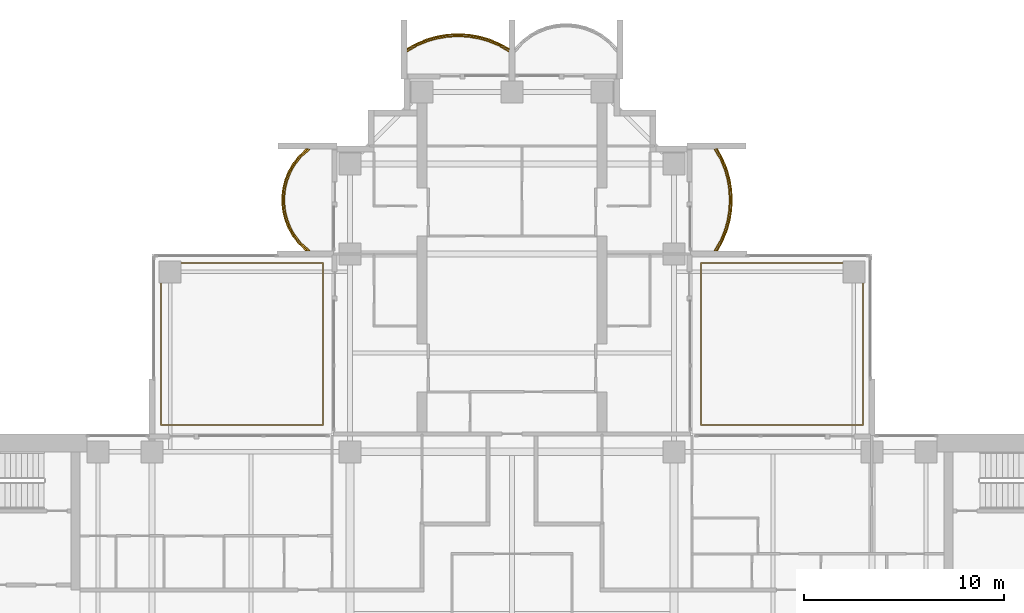
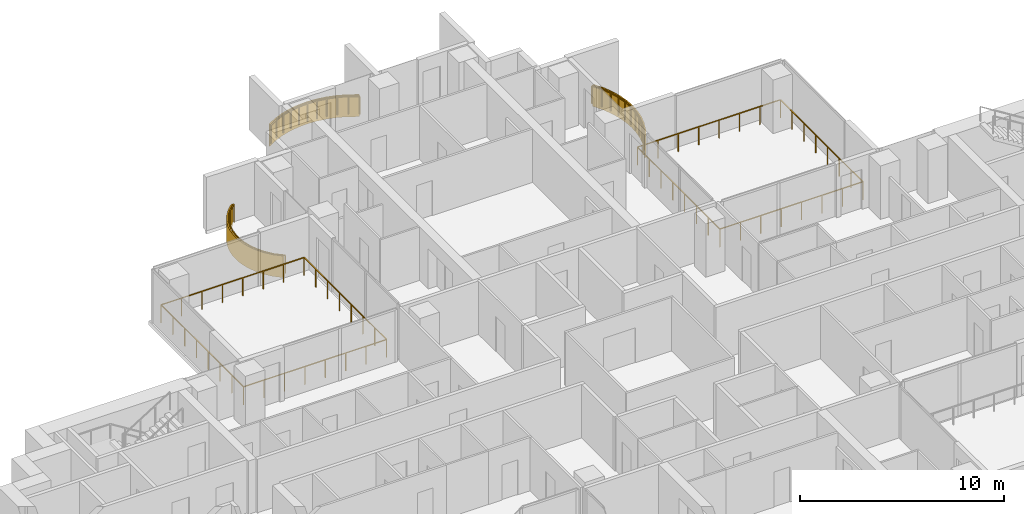
# One storey, part 18 of 19: 5 railings, 3 coverings.
"""IFC4 building model written with IfcOpenShell, lengths in metres."""

from ifc_helpers import new_model, si_unit, direction, frame, origin, origin_2d, place, context, subcontext, project, spatial, polyline, rectangle, outline, extrude, material, layer, layer_set, type_object, element, save


model = new_model("IFC4")

# Units and contexts
model_context = context("Model", 3, precision=1e-05, world=origin(), true_north=direction((0.0, 1.0)))
body_context = subcontext(model_context, "Body", "Model", "MODEL_VIEW")
ifc_project = project(units=[si_unit("LENGTHUNIT", "METRE"), si_unit("AREAUNIT", "SQUARE_METRE"), si_unit("VOLUMEUNIT", "CUBIC_METRE"), si_unit("PLANEANGLEUNIT", "RADIAN"), si_unit("MASSUNIT", "GRAM", prefix="KILO")], contexts=[model_context])

# Site, building, storey
site_placement = place(None, origin())
site = spatial("IfcSite", under=ifc_project, at=site_placement, CompositionType="ELEMENT")
building_placement = place(site_placement, origin())
building = spatial("IfcBuilding", under=site, at=building_placement, Name="Perihelion Cross Residences", CompositionType="ELEMENT")
storey_placement = place(building_placement, frame((0.0, 0.0, 151.39990234375)))
storey = spatial("IfcBuildingStorey", under=building, at=storey_placement, Name="L37", CompositionType="ELEMENT", Elevation=151.39990234375)

# Coverings
ifc_material_1 = material(Name="Bronze anodised aluminium", Category="aluminium")
ifc_layer = layer(ifc_material_1, 0.070068359375)
ifc_layer_set = layer_set([ifc_layer], Name="Balcony fascia 1300")
covering_type = type_object("IfcCoveringType", Name="Balcony fascia 1300", PredefinedType="CLADDING", material=ifc_layer_set)
covering_1_placement = place(storey_placement, frame((0.0, 0.0, -0.199951171875)))
element("IfcCovering", 1, at=covering_1_placement, inside=storey, type_object=covering_type, Name="Fascia BF1 L37 north side east bay 2", PredefinedType="CLADDING", context=body_context, shape_type="SweptSolid", body=[
    extrude(outline(polyline([(10.54833984375, 18.629638671875), (10.7607421875, 19.147216796875), (10.906494140625, 19.664794921875), (10.991943359375, 20.182373046875), (11.02001953125, 20.699951171875), (10.991943359375, 21.217529296875), (10.906494140625, 21.735107421875), (10.7607421875, 22.2529296875), (10.54833984375, 22.7705078125), (10.2802734375, 23.25), (10.199951171875, 23.25), (10.4853515625, 22.739990234375), (10.694580078125, 22.22998046875), (10.838134765625, 21.719970703125), (10.92236328125, 21.2099609375), (10.949951171875, 20.699951171875), (10.92236328125, 20.18994140625), (10.838134765625, 19.679931640625), (10.694580078125, 19.169921875), (10.4853515625, 18.659912109375), (10.199951171875, 18.14990234375), (10.2802734375, 18.14990234375), (10.54833984375, 18.629638671875)])), origin(), (0.0, 0.0, 1.0), 1.300048828125),
])
covering_2_placement = place(storey_placement, frame((0.0, 0.0, -0.199951171875)))
element("IfcCovering", 2, at=covering_2_placement, inside=storey, type_object=covering_type, Name="Fascia BF1 L37 north tip north bay 2", PredefinedType="CLADDING", context=body_context, shape_type="SweptSolid", body=[
    extrude(outline(polyline([(-0.629638671875, 28.54833984375), (-1.147216796875, 28.7607421875), (-1.664794921875, 28.906494140625), (-2.182373046875, 28.991943359375), (-2.699951171875, 29.02001953125), (-3.217529296875, 28.991943359375), (-3.735107421875, 28.906494140625), (-4.2529296875, 28.7607421875), (-4.7705078125, 28.54833984375), (-5.25, 28.2802734375), (-5.25, 28.199951171875), (-4.739990234375, 28.4853515625), (-4.22998046875, 28.694580078125), (-3.719970703125, 28.838134765625), (-3.2099609375, 28.92236328125), (-2.699951171875, 28.949951171875), (-2.18994140625, 28.92236328125), (-1.679931640625, 28.838134765625), (-1.169921875, 28.694580078125), (-0.659912109375, 28.4853515625), (-0.14990234375, 28.199951171875), (-0.14990234375, 28.2802734375), (-0.629638671875, 28.54833984375)])), origin(), (0.0, 0.0, 1.0), 1.300048828125),
])
covering_3_placement = place(storey_placement, frame((0.0, 0.0, -0.199951171875)))
element("IfcCovering", 3, at=covering_3_placement, inside=storey, type_object=covering_type, Name="Fascia BF1 L37 north side west bay 1", PredefinedType="CLADDING", context=body_context, shape_type="SweptSolid", body=[
    extrude(outline(polyline([(-10.674072265625, 22.90478515625), (-10.982666015625, 22.50390625), (-11.20654296875, 22.10302734375), (-11.364013671875, 21.7021484375), (-11.464599609375, 21.30126953125), (-11.513916015625, 20.900390625), (-11.513916015625, 20.49951171875), (-11.464599609375, 20.0986328125), (-11.364013671875, 19.69775390625), (-11.20654296875, 19.296875), (-10.982666015625, 18.89599609375), (-10.674072265625, 18.4951171875), (-10.302734375, 18.14990234375), (-10.199951171875, 18.14990234375), (-10.622314453125, 18.542236328125), (-10.924072265625, 18.9345703125), (-11.143310546875, 19.326904296875), (-11.29736328125, 19.71923828125), (-11.39599609375, 20.111572265625), (-11.444091796875, 20.50390625), (-11.444091796875, 20.896240234375), (-11.39599609375, 21.28857421875), (-11.29736328125, 21.6806640625), (-11.143310546875, 22.072998046875), (-10.924072265625, 22.46533203125), (-10.622314453125, 22.857666015625), (-10.199951171875, 23.25), (-10.302734375, 23.25), (-10.674072265625, 22.90478515625)])), origin(), (0.0, 0.0, 1.0), 1.300048828125),
])

# Railings
ifc_material_2 = material(Name="Bronze anodised aluminium", Category="aluminium")
railing_type = type_object("IfcRailingType", Name="Balcony guard 1100", PredefinedType="GUARDRAIL", material=ifc_material_2)
railing_1_placement = place(storey_placement, frame((10.139892578125, 18.175048828125, 0.0)))
element("IfcRailing", 4, at=railing_1_placement, inside=storey, type_object=railing_type, Name="Guard GU1 L37 north side east bay 2 balcony", PredefinedType="GUARDRAIL", context=body_context, shape_type="SweptSolid", body=[
    extrude(rectangle(XDim=0.048095703125, YDim=0.048095703125, at=origin_2d()), frame((0.0, 0.0, 1.076171875), z_axis=(0.507266632806, 0.861789164031, 0.0), x_axis=(-0.861789164031, 0.507266632806, 0.0)), (0.0, 0.0, 1.0), 0.562744140625),
    extrude(rectangle(XDim=0.048095703125, YDim=0.048095703125, at=origin_2d()), frame((0.285400390625, 0.48486328125, 1.076171875), z_axis=(0.379546636342, 0.925172605972, 0.0), x_axis=(-0.925172605972, 0.379546636342, 0.0)), (0.0, 0.0, 1.0), 0.55126953125),
    extrude(rectangle(XDim=0.048095703125, YDim=0.048095703125, at=origin_2d()), frame((0.49462890625, 0.994873046875, 1.076171875), z_axis=(0.271372618732, 0.962474364231, 0.0), x_axis=(-0.962474364231, 0.271372618732, 0.0)), (0.0, 0.0, 1.0), 0.52978515625),
    extrude(rectangle(XDim=0.048095703125, YDim=0.048095703125, at=origin_2d()), frame((0.638427734375, 1.5048828125, 1.076171875), z_axis=(0.162483799314, 0.986711211531, 0.0), x_axis=(-0.986711211531, 0.162483799314, 0.0)), (0.0, 0.0, 1.0), 0.516845703125),
    extrude(rectangle(XDim=0.048095703125, YDim=0.048095703125, at=origin_2d()), frame((0.722412109375, 2.014892578125, 1.076171875), z_axis=(0.05401390175, 0.998540183677, 0.0), x_axis=(-0.998540183677, 0.05401390175, 0.0)), (0.0, 0.0, 1.0), 0.5107421875),
    extrude(rectangle(XDim=0.048095703125, YDim=0.048095703125, at=origin_2d()), frame((0.75, 2.52490234375, 1.076171875), z_axis=(-0.05401390175, 0.998540183677, 0.0), x_axis=(-0.998540183677, -0.05401390175, 0.0)), (0.0, 0.0, 1.0), 0.5107421875),
    extrude(rectangle(XDim=0.048095703125, YDim=0.048095703125, at=origin_2d()), frame((0.722412109375, 3.034912109375, 1.076171875), z_axis=(-0.162483799314, 0.986711211531, 0.0), x_axis=(-0.986711211531, -0.162483799314, 0.0)), (0.0, 0.0, 1.0), 0.516845703125),
    extrude(rectangle(XDim=0.048095703125, YDim=0.048095703125, at=origin_2d()), frame((0.638427734375, 3.544921875, 1.076171875), z_axis=(-0.271372618732, 0.962474364231, 0.0), x_axis=(-0.962474364231, -0.271372618732, 0.0)), (0.0, 0.0, 1.0), 0.52978515625),
    extrude(rectangle(XDim=0.048095703125, YDim=0.048095703125, at=origin_2d()), frame((0.49462890625, 4.054931640625, 1.076171875), z_axis=(-0.379546636342, 0.925172605972, 0.0), x_axis=(-0.925172605972, -0.379546636342, 0.0)), (0.0, 0.0, 1.0), 0.55126953125),
    extrude(rectangle(XDim=0.048095703125, YDim=0.048095703125, at=origin_2d()), frame((0.285400390625, 4.56494140625, 1.076171875), z_axis=(-0.507076995033, 0.861900760591, 0.0), x_axis=(-0.861900760591, -0.507076995033, 0.0)), (0.0, 0.0, 1.0), 0.562744140625),
    extrude(rectangle(XDim=0.0419921875, YDim=0.0419921875, at=origin_2d()), origin(), (0.0, 0.0, 1.0), 1.052001953125),
    extrude(rectangle(XDim=0.0419921875, YDim=0.0419921875, at=origin_2d()), frame((0.285400390625, 0.48486328125, 0.0)), (0.0, 0.0, 1.0), 1.052001953125),
    extrude(rectangle(XDim=0.0419921875, YDim=0.0419921875, at=origin_2d()), frame((0.49462890625, 0.994873046875, 0.0)), (0.0, 0.0, 1.0), 1.052001953125),
    extrude(rectangle(XDim=0.0419921875, YDim=0.0419921875, at=origin_2d()), frame((0.638427734375, 1.5048828125, 0.0)), (0.0, 0.0, 1.0), 1.052001953125),
    extrude(rectangle(XDim=0.0419921875, YDim=0.0419921875, at=origin_2d()), frame((0.722412109375, 2.014892578125, 0.0)), (0.0, 0.0, 1.0), 1.052001953125),
    extrude(rectangle(XDim=0.0419921875, YDim=0.0419921875, at=origin_2d()), frame((0.75, 2.52490234375, 0.0)), (0.0, 0.0, 1.0), 1.052001953125),
    extrude(rectangle(XDim=0.0419921875, YDim=0.0419921875, at=origin_2d()), frame((0.722412109375, 3.034912109375, 0.0)), (0.0, 0.0, 1.0), 1.052001953125),
    extrude(rectangle(XDim=0.0419921875, YDim=0.0419921875, at=origin_2d()), frame((0.638427734375, 3.544921875, 0.0)), (0.0, 0.0, 1.0), 1.052001953125),
    extrude(rectangle(XDim=0.0419921875, YDim=0.0419921875, at=origin_2d()), frame((0.49462890625, 4.054931640625, 0.0)), (0.0, 0.0, 1.0), 1.052001953125),
    extrude(rectangle(XDim=0.0419921875, YDim=0.0419921875, at=origin_2d()), frame((0.285400390625, 4.56494140625, 0.0)), (0.0, 0.0, 1.0), 1.052001953125),
    extrude(rectangle(XDim=0.0419921875, YDim=0.0419921875, at=origin_2d()), frame((0.0, 5.050048828125, 0.0)), (0.0, 0.0, 1.0), 1.052001953125),
])
railing_2_placement = place(storey_placement, frame((-0.175048828125, 28.139892578125, 0.0)))
element("IfcRailing", 5, at=railing_2_placement, inside=storey, type_object=railing_type, Name="Guard GU1 L37 north tip north bay 2 balcony", PredefinedType="GUARDRAIL", context=body_context, shape_type="SweptSolid", body=[
    extrude(rectangle(XDim=0.048095703125, YDim=0.048095703125, at=origin_2d()), frame((0.0, 0.0, 1.076171875), z_axis=(-0.861789164031, 0.507266632806, 0.0), x_axis=(-0.507266632806, -0.861789164031, 0.0)), (0.0, 0.0, 1.0), 0.562744140625),
    extrude(rectangle(XDim=0.048095703125, YDim=0.048095703125, at=origin_2d()), frame((-0.48486328125, 0.285400390625, 1.076171875), z_axis=(-0.925172605972, 0.379546636342, 0.0), x_axis=(-0.379546636342, -0.925172605972, 0.0)), (0.0, 0.0, 1.0), 0.55126953125),
    extrude(rectangle(XDim=0.048095703125, YDim=0.048095703125, at=origin_2d()), frame((-0.994873046875, 0.49462890625, 1.076171875), z_axis=(-0.962474364231, 0.271372618732, 0.0), x_axis=(-0.271372618732, -0.962474364231, 0.0)), (0.0, 0.0, 1.0), 0.52978515625),
    extrude(rectangle(XDim=0.048095703125, YDim=0.048095703125, at=origin_2d()), frame((-1.5048828125, 0.638427734375, 1.076171875), z_axis=(-0.986711211531, 0.162483799314, 0.0), x_axis=(-0.162483799314, -0.986711211531, 0.0)), (0.0, 0.0, 1.0), 0.516845703125),
    extrude(rectangle(XDim=0.048095703125, YDim=0.048095703125, at=origin_2d()), frame((-2.014892578125, 0.722412109375, 1.076171875), z_axis=(-0.998540183677, 0.05401390175, 0.0), x_axis=(-0.05401390175, -0.998540183677, 0.0)), (0.0, 0.0, 1.0), 0.5107421875),
    extrude(rectangle(XDim=0.048095703125, YDim=0.048095703125, at=origin_2d()), frame((-2.52490234375, 0.75, 1.076171875), z_axis=(-0.998540183677, -0.05401390175, 0.0), x_axis=(0.05401390175, -0.998540183677, 0.0)), (0.0, 0.0, 1.0), 0.5107421875),
    extrude(rectangle(XDim=0.048095703125, YDim=0.048095703125, at=origin_2d()), frame((-3.034912109375, 0.722412109375, 1.076171875), z_axis=(-0.986711211531, -0.162483799314, 0.0), x_axis=(0.162483799314, -0.986711211531, 0.0)), (0.0, 0.0, 1.0), 0.516845703125),
    extrude(rectangle(XDim=0.048095703125, YDim=0.048095703125, at=origin_2d()), frame((-3.544921875, 0.638427734375, 1.076171875), z_axis=(-0.962474364231, -0.271372618732, 0.0), x_axis=(0.271372618732, -0.962474364231, 0.0)), (0.0, 0.0, 1.0), 0.52978515625),
    extrude(rectangle(XDim=0.048095703125, YDim=0.048095703125, at=origin_2d()), frame((-4.054931640625, 0.49462890625, 1.076171875), z_axis=(-0.925172605972, -0.379546636342, 0.0), x_axis=(0.379546636342, -0.925172605972, 0.0)), (0.0, 0.0, 1.0), 0.55126953125),
    extrude(rectangle(XDim=0.048095703125, YDim=0.048095703125, at=origin_2d()), frame((-4.56494140625, 0.285400390625, 1.076171875), z_axis=(-0.861900760591, -0.507076995033, 0.0), x_axis=(0.507076995033, -0.861900760591, 0.0)), (0.0, 0.0, 1.0), 0.562744140625),
    extrude(rectangle(XDim=0.0419921875, YDim=0.0419921875, at=origin_2d()), origin(), (0.0, 0.0, 1.0), 1.052001953125),
    extrude(rectangle(XDim=0.0419921875, YDim=0.0419921875, at=origin_2d()), frame((-0.48486328125, 0.285400390625, 0.0)), (0.0, 0.0, 1.0), 1.052001953125),
    extrude(rectangle(XDim=0.0419921875, YDim=0.0419921875, at=origin_2d()), frame((-0.994873046875, 0.49462890625, 0.0)), (0.0, 0.0, 1.0), 1.052001953125),
    extrude(rectangle(XDim=0.0419921875, YDim=0.0419921875, at=origin_2d()), frame((-1.5048828125, 0.638427734375, 0.0)), (0.0, 0.0, 1.0), 1.052001953125),
    extrude(rectangle(XDim=0.0419921875, YDim=0.0419921875, at=origin_2d()), frame((-2.014892578125, 0.722412109375, 0.0)), (0.0, 0.0, 1.0), 1.052001953125),
    extrude(rectangle(XDim=0.0419921875, YDim=0.0419921875, at=origin_2d()), frame((-2.52490234375, 0.75, 0.0)), (0.0, 0.0, 1.0), 1.052001953125),
    extrude(rectangle(XDim=0.0419921875, YDim=0.0419921875, at=origin_2d()), frame((-3.034912109375, 0.722412109375, 0.0)), (0.0, 0.0, 1.0), 1.052001953125),
    extrude(rectangle(XDim=0.0419921875, YDim=0.0419921875, at=origin_2d()), frame((-3.544921875, 0.638427734375, 0.0)), (0.0, 0.0, 1.0), 1.052001953125),
    extrude(rectangle(XDim=0.0419921875, YDim=0.0419921875, at=origin_2d()), frame((-4.054931640625, 0.49462890625, 0.0)), (0.0, 0.0, 1.0), 1.052001953125),
    extrude(rectangle(XDim=0.0419921875, YDim=0.0419921875, at=origin_2d()), frame((-4.56494140625, 0.285400390625, 0.0)), (0.0, 0.0, 1.0), 1.052001953125),
    extrude(rectangle(XDim=0.0419921875, YDim=0.0419921875, at=origin_2d()), frame((-5.050048828125, 0.0, 0.0)), (0.0, 0.0, 1.0), 1.052001953125),
])
railing_3_placement = place(storey_placement, frame((-10.139892578125, 23.22509765625, 0.0)))
element("IfcRailing", 6, at=railing_3_placement, inside=storey, type_object=railing_type, Name="Guard GU1 L37 north side west bay 1 balcony", PredefinedType="GUARDRAIL", context=body_context, shape_type="SweptSolid", body=[
    extrude(rectangle(XDim=0.048095703125, YDim=0.048095703125, at=origin_2d()), frame((0.0, 0.0, 1.076171875), z_axis=(-0.754464673757, -0.656340655493, 0.0), x_axis=(0.656340655493, -0.754464673757, 0.0)), (0.0, 0.0, 1.0), 0.559814453125),
    extrude(rectangle(XDim=0.048095703125, YDim=0.048095703125, at=origin_2d()), frame((-0.42236328125, -0.367431640625, 1.076171875), z_axis=(-0.60966308455, -0.792660660899, 0.0), x_axis=(0.792660660899, -0.60966308455, 0.0)), (0.0, 0.0, 1.0), 0.494873046875),
    extrude(rectangle(XDim=0.048095703125, YDim=0.048095703125, at=origin_2d()), frame((-0.72412109375, -0.759765625, 1.076171875), z_axis=(-0.487809182674, -0.872950285698, 0.0), x_axis=(0.872950285698, -0.487809182674, 0.0)), (0.0, 0.0, 1.0), 0.449462890625),
    extrude(rectangle(XDim=0.048095703125, YDim=0.048095703125, at=origin_2d()), frame((-0.943359375, -1.152099609375, 1.076171875), z_axis=(-0.365491079925, -0.930814842219, 0.0), x_axis=(0.930814842219, -0.365491079925, 0.0)), (0.0, 0.0, 1.0), 0.42138671875),
    extrude(rectangle(XDim=0.048095703125, YDim=0.048095703125, at=origin_2d()), frame((-1.097412109375, -1.54443359375, 1.076171875), z_axis=(-0.243956193074, -0.969786252666, 0.0), x_axis=(0.969786252666, -0.243956193074, 0.0)), (0.0, 0.0, 1.0), 0.404296875),
    extrude(rectangle(XDim=0.048095703125, YDim=0.048095703125, at=origin_2d()), frame((-1.196044921875, -1.9365234375, 1.076171875), z_axis=(-0.121677797999, -0.992569651699, 0.0), x_axis=(0.992569651699, -0.121677797999, 0.0)), (0.0, 0.0, 1.0), 0.395263671875),
    extrude(rectangle(XDim=0.048095703125, YDim=0.048095703125, at=origin_2d()), frame((-1.244140625, -2.328857421875, 1.076171875), z_axis=(0.0, -1.0, 0.0), x_axis=(1.0, 0.0, 0.0)), (0.0, 0.0, 1.0), 0.392333984375),
    extrude(rectangle(XDim=0.048095703125, YDim=0.048095703125, at=origin_2d()), frame((-1.244140625, -2.72119140625, 1.076171875), z_axis=(0.121677797999, -0.992569651699, 0.0), x_axis=(0.992569651699, 0.121677797999, 0.0)), (0.0, 0.0, 1.0), 0.395263671875),
    extrude(rectangle(XDim=0.048095703125, YDim=0.048095703125, at=origin_2d()), frame((-1.196044921875, -3.113525390625, 1.076171875), z_axis=(0.243813411509, -0.969822159145, 0.0), x_axis=(0.969822159145, 0.243813411509, 0.0)), (0.0, 0.0, 1.0), 0.404541015625),
    extrude(rectangle(XDim=0.048095703125, YDim=0.048095703125, at=origin_2d()), frame((-1.097412109375, -3.505859375, 1.076171875), z_axis=(0.365491079925, -0.930814842219, 0.0), x_axis=(0.930814842219, 0.365491079925, 0.0)), (0.0, 0.0, 1.0), 0.42138671875),
    extrude(rectangle(XDim=0.048095703125, YDim=0.048095703125, at=origin_2d()), frame((-0.943359375, -3.898193359375, 1.076171875), z_axis=(0.487809182674, -0.872950285698, 0.0), x_axis=(0.872950285698, 0.487809182674, 0.0)), (0.0, 0.0, 1.0), 0.449462890625),
    extrude(rectangle(XDim=0.048095703125, YDim=0.048095703125, at=origin_2d()), frame((-0.72412109375, -4.29052734375, 1.076171875), z_axis=(0.60966308455, -0.792660660899, 0.0), x_axis=(0.792660660899, 0.60966308455, 0.0)), (0.0, 0.0, 1.0), 0.494873046875),
    extrude(rectangle(XDim=0.048095703125, YDim=0.048095703125, at=origin_2d()), frame((-0.42236328125, -4.682861328125, 1.076171875), z_axis=(0.754680648599, -0.656092309534, 0.0), x_axis=(0.656092309534, 0.754680648599, 0.0)), (0.0, 0.0, 1.0), 0.5595703125),
    extrude(rectangle(XDim=0.0419921875, YDim=0.0419921875, at=origin_2d()), origin(), (0.0, 0.0, 1.0), 1.052001953125),
    extrude(rectangle(XDim=0.0419921875, YDim=0.0419921875, at=origin_2d()), frame((-0.42236328125, -0.367431640625, 0.0)), (0.0, 0.0, 1.0), 1.052001953125),
    extrude(rectangle(XDim=0.0419921875, YDim=0.0419921875, at=origin_2d()), frame((-0.72412109375, -0.759765625, 0.0)), (0.0, 0.0, 1.0), 1.052001953125),
    extrude(rectangle(XDim=0.0419921875, YDim=0.0419921875, at=origin_2d()), frame((-0.943359375, -1.152099609375, 0.0)), (0.0, 0.0, 1.0), 1.052001953125),
    extrude(rectangle(XDim=0.0419921875, YDim=0.0419921875, at=origin_2d()), frame((-1.097412109375, -1.54443359375, 0.0)), (0.0, 0.0, 1.0), 1.052001953125),
    extrude(rectangle(XDim=0.0419921875, YDim=0.0419921875, at=origin_2d()), frame((-1.196044921875, -1.9365234375, 0.0)), (0.0, 0.0, 1.0), 1.052001953125),
    extrude(rectangle(XDim=0.0419921875, YDim=0.0419921875, at=origin_2d()), frame((-1.244140625, -2.328857421875, 0.0)), (0.0, 0.0, 1.0), 1.052001953125),
    extrude(rectangle(XDim=0.0419921875, YDim=0.0419921875, at=origin_2d()), frame((-1.244140625, -2.72119140625, 0.0)), (0.0, 0.0, 1.0), 1.052001953125),
    extrude(rectangle(XDim=0.0419921875, YDim=0.0419921875, at=origin_2d()), frame((-1.196044921875, -3.113525390625, 0.0)), (0.0, 0.0, 1.0), 1.052001953125),
    extrude(rectangle(XDim=0.0419921875, YDim=0.0419921875, at=origin_2d()), frame((-1.097412109375, -3.505859375, 0.0)), (0.0, 0.0, 1.0), 1.052001953125),
    extrude(rectangle(XDim=0.0419921875, YDim=0.0419921875, at=origin_2d()), frame((-0.943359375, -3.898193359375, 0.0)), (0.0, 0.0, 1.0), 1.052001953125),
    extrude(rectangle(XDim=0.0419921875, YDim=0.0419921875, at=origin_2d()), frame((-0.72412109375, -4.29052734375, 0.0)), (0.0, 0.0, 1.0), 1.052001953125),
    extrude(rectangle(XDim=0.0419921875, YDim=0.0419921875, at=origin_2d()), frame((-0.42236328125, -4.682861328125, 0.0)), (0.0, 0.0, 1.0), 1.052001953125),
    extrude(rectangle(XDim=0.0419921875, YDim=0.0419921875, at=origin_2d()), frame((0.0, -5.050048828125, 0.0)), (0.0, 0.0, 1.0), 1.052001953125),
])
railing_4_placement = place(storey_placement, frame((17.550048828125, 9.449951171875, 0.0)))
element("IfcRailing", 7, at=railing_4_placement, inside=storey, type_object=railing_type, Name="Guard GU1 L37 pocket north-east 1", PredefinedType="GUARDRAIL", context=body_context, shape_type="SweptSolid", body=[
    extrude(rectangle(XDim=0.048095703125, YDim=0.048095703125, at=origin_2d()), frame((0.0, 0.0, 1.076171875), z_axis=(-1.0, 0.0, 0.0), x_axis=(0.0, -1.0, 0.0)), (0.0, 0.0, 1.0), 8.10009765625),
    extrude(rectangle(XDim=0.048095703125, YDim=0.048095703125, at=origin_2d()), frame((-8.10009765625, 0.0, 1.076171875), z_axis=(0.0, 1.0, 0.0), x_axis=(-1.0, 0.0, 0.0)), (0.0, 0.0, 1.0), 8.10009765625),
    extrude(rectangle(XDim=0.048095703125, YDim=0.048095703125, at=origin_2d()), frame((-8.10009765625, 8.10009765625, 1.076171875), z_axis=(1.0, 0.0, 0.0), x_axis=(0.0, 1.0, 0.0)), (0.0, 0.0, 1.0), 8.10009765625),
    extrude(rectangle(XDim=0.048095703125, YDim=0.048095703125, at=origin_2d()), frame((0.0, 8.10009765625, 1.076171875), z_axis=(0.0, -1.0, 0.0), x_axis=(1.0, 0.0, 0.0)), (0.0, 0.0, 1.0), 8.10009765625),
    extrude(rectangle(XDim=0.0419921875, YDim=0.0419921875, at=origin_2d()), origin(), (0.0, 0.0, 1.0), 1.052001953125),
    extrude(rectangle(XDim=0.0419921875, YDim=0.0419921875, at=origin_2d()), frame((-1.1572265625, 0.0, 0.0)), (0.0, 0.0, 1.0), 1.052001953125),
    extrude(rectangle(XDim=0.0419921875, YDim=0.0419921875, at=origin_2d()), frame((-2.314208984375, 0.0, 0.0)), (0.0, 0.0, 1.0), 1.052001953125),
    extrude(rectangle(XDim=0.0419921875, YDim=0.0419921875, at=origin_2d()), frame((-3.471435546875, 0.0, 0.0)), (0.0, 0.0, 1.0), 1.052001953125),
    extrude(rectangle(XDim=0.0419921875, YDim=0.0419921875, at=origin_2d()), frame((-4.628662109375, 0.0, 0.0)), (0.0, 0.0, 1.0), 1.052001953125),
    extrude(rectangle(XDim=0.0419921875, YDim=0.0419921875, at=origin_2d()), frame((-5.785888671875, 0.0, 0.0)), (0.0, 0.0, 1.0), 1.052001953125),
    extrude(rectangle(XDim=0.0419921875, YDim=0.0419921875, at=origin_2d()), frame((-6.94287109375, 0.0, 0.0)), (0.0, 0.0, 1.0), 1.052001953125),
    extrude(rectangle(XDim=0.0419921875, YDim=0.0419921875, at=origin_2d()), frame((-8.10009765625, 0.0, 0.0)), (0.0, 0.0, 1.0), 1.052001953125),
    extrude(rectangle(XDim=0.0419921875, YDim=0.0419921875, at=origin_2d()), frame((-8.10009765625, 1.1572265625, 0.0)), (0.0, 0.0, 1.0), 1.052001953125),
    extrude(rectangle(XDim=0.0419921875, YDim=0.0419921875, at=origin_2d()), frame((-8.10009765625, 2.314208984375, 0.0)), (0.0, 0.0, 1.0), 1.052001953125),
    extrude(rectangle(XDim=0.0419921875, YDim=0.0419921875, at=origin_2d()), frame((-8.10009765625, 3.471435546875, 0.0)), (0.0, 0.0, 1.0), 1.052001953125),
    extrude(rectangle(XDim=0.0419921875, YDim=0.0419921875, at=origin_2d()), frame((-8.10009765625, 4.628662109375, 0.0)), (0.0, 0.0, 1.0), 1.052001953125),
    extrude(rectangle(XDim=0.0419921875, YDim=0.0419921875, at=origin_2d()), frame((-8.10009765625, 5.785888671875, 0.0)), (0.0, 0.0, 1.0), 1.052001953125),
    extrude(rectangle(XDim=0.0419921875, YDim=0.0419921875, at=origin_2d()), frame((-8.10009765625, 6.94287109375, 0.0)), (0.0, 0.0, 1.0), 1.052001953125),
    extrude(rectangle(XDim=0.0419921875, YDim=0.0419921875, at=origin_2d()), frame((-8.10009765625, 8.10009765625, 0.0)), (0.0, 0.0, 1.0), 1.052001953125),
    extrude(rectangle(XDim=0.0419921875, YDim=0.0419921875, at=origin_2d()), frame((-6.94287109375, 8.10009765625, 0.0)), (0.0, 0.0, 1.0), 1.052001953125),
    extrude(rectangle(XDim=0.0419921875, YDim=0.0419921875, at=origin_2d()), frame((-5.785888671875, 8.10009765625, 0.0)), (0.0, 0.0, 1.0), 1.052001953125),
    extrude(rectangle(XDim=0.0419921875, YDim=0.0419921875, at=origin_2d()), frame((-4.628662109375, 8.10009765625, 0.0)), (0.0, 0.0, 1.0), 1.052001953125),
    extrude(rectangle(XDim=0.0419921875, YDim=0.0419921875, at=origin_2d()), frame((-3.471435546875, 8.10009765625, 0.0)), (0.0, 0.0, 1.0), 1.052001953125),
    extrude(rectangle(XDim=0.0419921875, YDim=0.0419921875, at=origin_2d()), frame((-2.314208984375, 8.10009765625, 0.0)), (0.0, 0.0, 1.0), 1.052001953125),
    extrude(rectangle(XDim=0.0419921875, YDim=0.0419921875, at=origin_2d()), frame((-1.1572265625, 8.10009765625, 0.0)), (0.0, 0.0, 1.0), 1.052001953125),
    extrude(rectangle(XDim=0.0419921875, YDim=0.0419921875, at=origin_2d()), frame((0.0, 8.10009765625, 0.0)), (0.0, 0.0, 1.0), 1.052001953125),
    extrude(rectangle(XDim=0.0419921875, YDim=0.0419921875, at=origin_2d()), frame((0.0, 6.94287109375, 0.0)), (0.0, 0.0, 1.0), 1.052001953125),
    extrude(rectangle(XDim=0.0419921875, YDim=0.0419921875, at=origin_2d()), frame((0.0, 5.785888671875, 0.0)), (0.0, 0.0, 1.0), 1.052001953125),
    extrude(rectangle(XDim=0.0419921875, YDim=0.0419921875, at=origin_2d()), frame((0.0, 4.628662109375, 0.0)), (0.0, 0.0, 1.0), 1.052001953125),
    extrude(rectangle(XDim=0.0419921875, YDim=0.0419921875, at=origin_2d()), frame((0.0, 3.471435546875, 0.0)), (0.0, 0.0, 1.0), 1.052001953125),
    extrude(rectangle(XDim=0.0419921875, YDim=0.0419921875, at=origin_2d()), frame((0.0, 2.314208984375, 0.0)), (0.0, 0.0, 1.0), 1.052001953125),
    extrude(rectangle(XDim=0.0419921875, YDim=0.0419921875, at=origin_2d()), frame((0.0, 1.1572265625, 0.0)), (0.0, 0.0, 1.0), 1.052001953125),
])
railing_5_placement = place(storey_placement, frame((-9.449951171875, 9.449951171875, 0.0)))
element("IfcRailing", 8, at=railing_5_placement, inside=storey, type_object=railing_type, Name="Guard GU1 L37 pocket north-west 1", PredefinedType="GUARDRAIL", context=body_context, shape_type="SweptSolid", body=[
    extrude(rectangle(XDim=0.048095703125, YDim=0.048095703125, at=origin_2d()), frame((0.0, 0.0, 1.076171875), z_axis=(-1.0, 0.0, 0.0), x_axis=(0.0, -1.0, 0.0)), (0.0, 0.0, 1.0), 8.10009765625),
    extrude(rectangle(XDim=0.048095703125, YDim=0.048095703125, at=origin_2d()), frame((-8.10009765625, 0.0, 1.076171875), z_axis=(0.0, 1.0, 0.0), x_axis=(-1.0, 0.0, 0.0)), (0.0, 0.0, 1.0), 8.10009765625),
    extrude(rectangle(XDim=0.048095703125, YDim=0.048095703125, at=origin_2d()), frame((-8.10009765625, 8.10009765625, 1.076171875), z_axis=(1.0, 0.0, 0.0), x_axis=(0.0, 1.0, 0.0)), (0.0, 0.0, 1.0), 8.10009765625),
    extrude(rectangle(XDim=0.048095703125, YDim=0.048095703125, at=origin_2d()), frame((0.0, 8.10009765625, 1.076171875), z_axis=(0.0, -1.0, 0.0), x_axis=(1.0, 0.0, 0.0)), (0.0, 0.0, 1.0), 8.10009765625),
    extrude(rectangle(XDim=0.0419921875, YDim=0.0419921875, at=origin_2d()), origin(), (0.0, 0.0, 1.0), 1.052001953125),
    extrude(rectangle(XDim=0.0419921875, YDim=0.0419921875, at=origin_2d()), frame((-1.1572265625, 0.0, 0.0)), (0.0, 0.0, 1.0), 1.052001953125),
    extrude(rectangle(XDim=0.0419921875, YDim=0.0419921875, at=origin_2d()), frame((-2.314208984375, 0.0, 0.0)), (0.0, 0.0, 1.0), 1.052001953125),
    extrude(rectangle(XDim=0.0419921875, YDim=0.0419921875, at=origin_2d()), frame((-3.471435546875, 0.0, 0.0)), (0.0, 0.0, 1.0), 1.052001953125),
    extrude(rectangle(XDim=0.0419921875, YDim=0.0419921875, at=origin_2d()), frame((-4.628662109375, 0.0, 0.0)), (0.0, 0.0, 1.0), 1.052001953125),
    extrude(rectangle(XDim=0.0419921875, YDim=0.0419921875, at=origin_2d()), frame((-5.785888671875, 0.0, 0.0)), (0.0, 0.0, 1.0), 1.052001953125),
    extrude(rectangle(XDim=0.0419921875, YDim=0.0419921875, at=origin_2d()), frame((-6.94287109375, 0.0, 0.0)), (0.0, 0.0, 1.0), 1.052001953125),
    extrude(rectangle(XDim=0.0419921875, YDim=0.0419921875, at=origin_2d()), frame((-8.10009765625, 0.0, 0.0)), (0.0, 0.0, 1.0), 1.052001953125),
    extrude(rectangle(XDim=0.0419921875, YDim=0.0419921875, at=origin_2d()), frame((-8.10009765625, 1.1572265625, 0.0)), (0.0, 0.0, 1.0), 1.052001953125),
    extrude(rectangle(XDim=0.0419921875, YDim=0.0419921875, at=origin_2d()), frame((-8.10009765625, 2.314208984375, 0.0)), (0.0, 0.0, 1.0), 1.052001953125),
    extrude(rectangle(XDim=0.0419921875, YDim=0.0419921875, at=origin_2d()), frame((-8.10009765625, 3.471435546875, 0.0)), (0.0, 0.0, 1.0), 1.052001953125),
    extrude(rectangle(XDim=0.0419921875, YDim=0.0419921875, at=origin_2d()), frame((-8.10009765625, 4.628662109375, 0.0)), (0.0, 0.0, 1.0), 1.052001953125),
    extrude(rectangle(XDim=0.0419921875, YDim=0.0419921875, at=origin_2d()), frame((-8.10009765625, 5.785888671875, 0.0)), (0.0, 0.0, 1.0), 1.052001953125),
    extrude(rectangle(XDim=0.0419921875, YDim=0.0419921875, at=origin_2d()), frame((-8.10009765625, 6.94287109375, 0.0)), (0.0, 0.0, 1.0), 1.052001953125),
    extrude(rectangle(XDim=0.0419921875, YDim=0.0419921875, at=origin_2d()), frame((-8.10009765625, 8.10009765625, 0.0)), (0.0, 0.0, 1.0), 1.052001953125),
    extrude(rectangle(XDim=0.0419921875, YDim=0.0419921875, at=origin_2d()), frame((-6.94287109375, 8.10009765625, 0.0)), (0.0, 0.0, 1.0), 1.052001953125),
    extrude(rectangle(XDim=0.0419921875, YDim=0.0419921875, at=origin_2d()), frame((-5.785888671875, 8.10009765625, 0.0)), (0.0, 0.0, 1.0), 1.052001953125),
    extrude(rectangle(XDim=0.0419921875, YDim=0.0419921875, at=origin_2d()), frame((-4.628662109375, 8.10009765625, 0.0)), (0.0, 0.0, 1.0), 1.052001953125),
    extrude(rectangle(XDim=0.0419921875, YDim=0.0419921875, at=origin_2d()), frame((-3.471435546875, 8.10009765625, 0.0)), (0.0, 0.0, 1.0), 1.052001953125),
    extrude(rectangle(XDim=0.0419921875, YDim=0.0419921875, at=origin_2d()), frame((-2.314208984375, 8.10009765625, 0.0)), (0.0, 0.0, 1.0), 1.052001953125),
    extrude(rectangle(XDim=0.0419921875, YDim=0.0419921875, at=origin_2d()), frame((-1.1572265625, 8.10009765625, 0.0)), (0.0, 0.0, 1.0), 1.052001953125),
    extrude(rectangle(XDim=0.0419921875, YDim=0.0419921875, at=origin_2d()), frame((0.0, 8.10009765625, 0.0)), (0.0, 0.0, 1.0), 1.052001953125),
    extrude(rectangle(XDim=0.0419921875, YDim=0.0419921875, at=origin_2d()), frame((0.0, 6.94287109375, 0.0)), (0.0, 0.0, 1.0), 1.052001953125),
    extrude(rectangle(XDim=0.0419921875, YDim=0.0419921875, at=origin_2d()), frame((0.0, 5.785888671875, 0.0)), (0.0, 0.0, 1.0), 1.052001953125),
    extrude(rectangle(XDim=0.0419921875, YDim=0.0419921875, at=origin_2d()), frame((0.0, 4.628662109375, 0.0)), (0.0, 0.0, 1.0), 1.052001953125),
    extrude(rectangle(XDim=0.0419921875, YDim=0.0419921875, at=origin_2d()), frame((0.0, 3.471435546875, 0.0)), (0.0, 0.0, 1.0), 1.052001953125),
    extrude(rectangle(XDim=0.0419921875, YDim=0.0419921875, at=origin_2d()), frame((0.0, 2.314208984375, 0.0)), (0.0, 0.0, 1.0), 1.052001953125),
    extrude(rectangle(XDim=0.0419921875, YDim=0.0419921875, at=origin_2d()), frame((0.0, 1.1572265625, 0.0)), (0.0, 0.0, 1.0), 1.052001953125),
])

save(model, "model.ifc")
